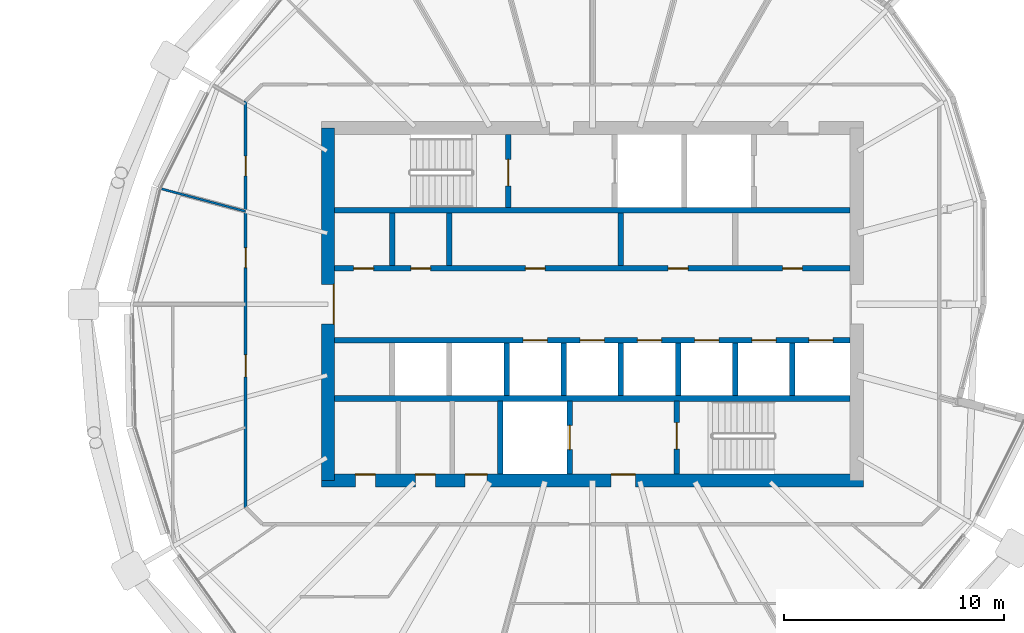
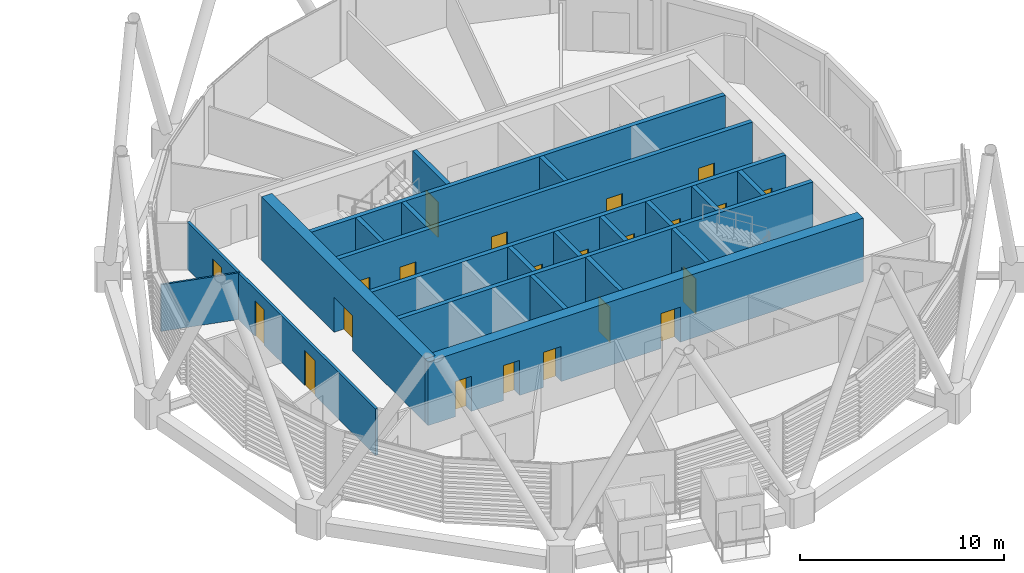
# One storey, part 25 of 37: 22 doors, 21 walls, 22 openings.
"""IFC4 building model written with IfcOpenShell, lengths in metres."""

from ifc_helpers import new_model, si_unit, direction, frame, frame_2d, origin, place, context, subcontext, project, spatial, rectangle, extrude, material, layer, layer_set, type_object, element, fill, save


model = new_model("IFC4")

# Units and contexts
model_context = context("Model", 3, precision=1e-05, world=origin(), true_north=direction((0.0, 1.0)))
body_context = subcontext(model_context, "Body", "Model", "MODEL_VIEW")
ifc_project = project(units=[si_unit("LENGTHUNIT", "METRE"), si_unit("AREAUNIT", "SQUARE_METRE"), si_unit("VOLUMEUNIT", "CUBIC_METRE"), si_unit("PLANEANGLEUNIT", "RADIAN"), si_unit("MASSUNIT", "GRAM", prefix="KILO")], contexts=[model_context])

# Site, building, storey
site_placement = place(None, origin())
site = spatial("IfcSite", under=ifc_project, at=site_placement, CompositionType="ELEMENT")
building_placement = place(site_placement, origin())
building = spatial("IfcBuilding", under=site, at=building_placement, Name="Rimbun Link Towers", CompositionType="ELEMENT")
storey_placement = place(building_placement, frame((0.0, 0.0, 170.300048828125)))
storey = spatial("IfcBuildingStorey", under=building, at=storey_placement, Name="L41", CompositionType="ELEMENT", Elevation=170.300048828125)

# Wall, openings, doors
ifc_material_1 = material(Name="Concrete C60/75", Category="concrete")
ifc_layer_1 = layer(ifc_material_1, 0.60009765625)
ifc_layer_set_1 = layer_set([ifc_layer_1], Name="Core shear wall 600")
wall_type_1 = type_object("IfcWallType", Name="Core shear wall 600", PredefinedType="SHEAR", material=ifc_layer_set_1)
wall_1_placement = place(storey_placement, frame((19.449951171875, -8.0, 0.0), z_axis=(0.0, 0.0, 1.0), x_axis=(1.0, 0.0, 0.0)))
wall_1 = element("IfcWall", 1, at=wall_1_placement, inside=storey, type_object=wall_type_1, Name="L41 T2 core wall S", PredefinedType="SHEAR", context=body_context, shape_type="SweptSolid", body=[
    extrude(rectangle(XDim=24.60009765625, YDim=0.60009765625, at=frame_2d((12.300048828125, 0.0))), origin(), (0.0, 0.0, 1.0), 3.800048828125),
])
opening_1_placement = place(wall_1_placement, frame((13.14990234375, 0.0, 0.0)))
opening_1 = element("IfcOpeningElement", 2, at=opening_1_placement, cuts=wall_1, Name="Opening C2DCF01S", PredefinedType="OPENING", context=body_context, shape_type="SweptSolid", body=[
    extrude(rectangle(XDim=1.10009765625, YDim=2.10009765625, at=frame_2d((0.550048828125, 1.050048828125))), frame((0.0, 0.31005859375, 0.0), z_axis=(0.0, -1.0, 0.0), x_axis=(1.0, 0.0, 0.0)), (0.0, 0.0, 1.0), 0.6201171875),
])
opening_2_placement = place(wall_1_placement, frame((1.550048828125, 0.0, 0.0)))
opening_2 = element("IfcOpeningElement", 3, at=opening_2_placement, cuts=wall_1, Name="Opening C2DWC02S", PredefinedType="OPENING", context=body_context, shape_type="SweptSolid", body=[
    extrude(rectangle(XDim=0.89990234375, YDim=2.10009765625, at=frame_2d((0.449951171875, 1.050048828125))), frame((0.0, 0.31005859375, 0.0), z_axis=(0.0, -1.0, 0.0), x_axis=(1.0, 0.0, 0.0)), (0.0, 0.0, 1.0), 0.6201171875),
])
opening_3_placement = place(wall_1_placement, frame((4.27490234375, 0.0, 0.0)))
opening_3 = element("IfcOpeningElement", 4, at=opening_3_placement, cuts=wall_1, Name="Opening C2DWC03S", PredefinedType="OPENING", context=body_context, shape_type="SweptSolid", body=[
    extrude(rectangle(XDim=0.89990234375, YDim=2.10009765625, at=frame_2d((0.449951171875, 1.050048828125))), frame((0.0, 0.31005859375, 0.0), z_axis=(0.0, -1.0, 0.0), x_axis=(1.0, 0.0, 0.0)), (0.0, 0.0, 1.0), 0.6201171875),
])
opening_4_placement = place(wall_1_placement, frame((6.52490234375, 0.0, 0.0)))
opening_4 = element("IfcOpeningElement", 5, at=opening_4_placement, cuts=wall_1, Name="Opening C2DAW04S", PredefinedType="OPENING", context=body_context, shape_type="SweptSolid", body=[
    extrude(rectangle(XDim=1.0, YDim=2.10009765625, at=frame_2d((0.5, 1.050048828125))), frame((0.0, 0.31005859375, 0.0), z_axis=(0.0, -1.0, 0.0), x_axis=(1.0, 0.0, 0.0)), (0.0, 0.0, 1.0), 0.6201171875),
])
ifc_material_2 = material(Name="Timber", Category="wood")
door_type_1 = type_object("IfcDoorType", Name="Accessible WC door", OperationType="SINGLE_SWING_LEFT", PredefinedType="DOOR", material=ifc_material_2)
door_1_placement = place(opening_4_placement, origin())
door_1 = element("IfcDoor", 6, at=door_1_placement, inside=storey, type_object=door_type_1, Name="L41 T2 accessible wc door", OperationType="SINGLE_SWING_LEFT", OverallHeight=2.10009765625, OverallWidth=1.0, PredefinedType="DOOR", context=body_context, shape_type="SweptSolid", body=[
    extrude(rectangle(XDim=1.0, YDim=2.10009765625, at=frame_2d((0.5, 1.050048828125))), frame((0.0, 0.2998046875, 0.0), z_axis=(0.0, -1.0, 0.0), x_axis=(1.0, 0.0, 0.0)), (0.0, 0.0, 1.0), 0.050048828125),
])
fill(opening_4, door_1)
ifc_material_3 = material(Name="Steel fire door set", Category="steel")
door_type_2 = type_object("IfcDoorType", Name="Core fire door single", OperationType="SINGLE_SWING_LEFT", PredefinedType="DOOR", material=ifc_material_3)
door_2_placement = place(opening_1_placement, origin())
door_2 = element("IfcDoor", 7, at=door_2_placement, inside=storey, type_object=door_type_2, Name="L41 T2 firefighting lobby s door", OperationType="SINGLE_SWING_RIGHT", OverallHeight=2.10009765625, OverallWidth=1.10009765625, PredefinedType="DOOR", context=body_context, shape_type="SweptSolid", body=[
    extrude(rectangle(XDim=1.10009765625, YDim=2.10009765625, at=frame_2d((0.550048828125, 1.050048828125))), frame((0.0, 0.2998046875, 0.0), z_axis=(0.0, -1.0, 0.0), x_axis=(1.0, 0.0, 0.0)), (0.0, 0.0, 1.0), 0.050048828125),
])
fill(opening_1, door_2)
ifc_material_4 = material(Name="Timber", Category="wood")
door_type_3 = type_object("IfcDoorType", Name="WC door", OperationType="SINGLE_SWING_LEFT", PredefinedType="DOOR", material=ifc_material_4)
door_3_placement = place(opening_2_placement, origin())
door_3 = element("IfcDoor", 8, at=door_3_placement, inside=storey, type_object=door_type_3, Name="L41 T2 male wc door", OperationType="SINGLE_SWING_RIGHT", OverallHeight=2.10009765625, OverallWidth=0.89990234375, PredefinedType="DOOR", context=body_context, shape_type="SweptSolid", body=[
    extrude(rectangle(XDim=0.89990234375, YDim=2.10009765625, at=frame_2d((0.449951171875, 1.050048828125))), frame((0.0, 0.2998046875, 0.0), z_axis=(0.0, -1.0, 0.0), x_axis=(1.0, 0.0, 0.0)), (0.0, 0.0, 1.0), 0.050048828125),
])
fill(opening_2, door_3)
door_4_placement = place(opening_3_placement, origin())
door_4 = element("IfcDoor", 9, at=door_4_placement, inside=storey, type_object=door_type_3, Name="L41 T2 female wc door", OperationType="SINGLE_SWING_RIGHT", OverallHeight=2.10009765625, OverallWidth=0.89990234375, PredefinedType="DOOR", context=body_context, shape_type="SweptSolid", body=[
    extrude(rectangle(XDim=0.89990234375, YDim=2.10009765625, at=frame_2d((0.449951171875, 1.050048828125))), frame((0.0, 0.2998046875, 0.0), z_axis=(0.0, -1.0, 0.0), x_axis=(1.0, 0.0, 0.0)), (0.0, 0.0, 1.0), 0.050048828125),
])
fill(opening_3, door_4)

# Wall, opening, door
wall_2_placement = place(storey_placement, frame((19.75, -8.0, 0.0), z_axis=(0.0, 0.0, 1.0), x_axis=(0.0, 1.0, 0.0)))
wall_2 = element("IfcWall", 10, at=wall_2_placement, inside=storey, type_object=wall_type_1, Name="L41 T2 core wall W", PredefinedType="SHEAR", context=body_context, shape_type="SweptSolid", body=[
    extrude(rectangle(XDim=16.0, YDim=0.60009765625, at=frame_2d((8.0, 0.0))), origin(), (0.0, 0.0, 1.0), 3.800048828125),
])
opening_5_placement = place(wall_2_placement, frame((7.10009765625, 0.0, 0.0)))
opening_5 = element("IfcOpeningElement", 11, at=opening_5_placement, cuts=wall_2, Name="Opening C2DCL01W", PredefinedType="OPENING", context=body_context, shape_type="SweptSolid", body=[
    extrude(rectangle(XDim=1.800048828125, YDim=2.10009765625, at=frame_2d((0.89990234375, 1.050048828125))), frame((0.0, 0.31005859375, 0.0), z_axis=(0.0, -1.0, 0.0), x_axis=(1.0, 0.0, 0.0)), (0.0, 0.0, 1.0), 0.6201171875),
])
ifc_material_5 = material(Name="Steel fire door set", Category="steel")
door_type_4 = type_object("IfcDoorType", Name="Core lobby door double", OperationType="DOUBLE_DOOR_SINGLE_SWING", PredefinedType="DOOR", material=ifc_material_5)
door_5_placement = place(opening_5_placement, origin())
door_5 = element("IfcDoor", 12, at=door_5_placement, inside=storey, type_object=door_type_4, Name="L41 T2 lift lobby door", OperationType="DOUBLE_DOOR_SINGLE_SWING", OverallHeight=2.10009765625, OverallWidth=1.800048828125, PredefinedType="DOOR", context=body_context, shape_type="SweptSolid", body=[
    extrude(rectangle(XDim=1.800048828125, YDim=2.10009765625, at=frame_2d((0.89990234375, 1.050048828125))), frame((0.0, -0.25, 0.0), z_axis=(0.0, -1.0, 0.0), x_axis=(1.0, 0.0, 0.0)), (0.0, 0.0, 1.0), 0.050048828125),
])
fill(opening_5, door_5)

# Wall, openings, doors
ifc_material_6 = material(Name="Plasterboard on steel stud, mineral wool", Category="steel")
ifc_layer_2 = layer(ifc_material_6, 0.14990234375)
ifc_layer_set_2 = layer_set([ifc_layer_2], Name="Corridor wall EI 30 150 mm")
wall_type_2 = type_object("IfcWallType", Name="Corridor wall EI 30 150 mm", PredefinedType="PARTITIONING", material=ifc_layer_set_2)
wall_3_placement = place(storey_placement, frame((16.014892578125, -9.213623046875, 0.0), z_axis=(0.0, 0.0, 1.0), x_axis=(0.0, 1.0, 0.0)))
wall_3 = element("IfcWall", 13, at=wall_3_placement, inside=storey, type_object=wall_type_2, Name="Corridor wall EI 30 150 mm", PredefinedType="PARTITIONING", context=body_context, shape_type="SweptSolid", body=[
    extrude(rectangle(XDim=18.42724609375, YDim=0.14990234375, at=frame_2d((9.213623046875, 0.0))), origin(), (0.0, 0.0, 1.0), 2.7890625),
])
opening_6_placement = place(wall_3_placement, frame((15.036865234375, 0.0, 0.0)))
opening_6 = element("IfcOpeningElement", 14, at=opening_6_placement, cuts=wall_3, Name="Opening D02", PredefinedType="OPENING", context=body_context, shape_type="SweptSolid", body=[
    extrude(rectangle(XDim=0.89990234375, YDim=2.10009765625, at=frame_2d((0.449951171875, 1.050048828125))), frame((0.0, 0.0849609375, 0.0), z_axis=(0.0, -1.0, 0.0), x_axis=(1.0, 0.0, 0.0)), (0.0, 0.0, 1.0), 0.169921875),
])
opening_7_placement = place(wall_3_placement, frame((10.871826171875, 0.0, 0.0)))
opening_7 = element("IfcOpeningElement", 15, at=opening_7_placement, cuts=wall_3, Name="Opening D02", PredefinedType="OPENING", context=body_context, shape_type="SweptSolid", body=[
    extrude(rectangle(XDim=0.89990234375, YDim=2.10009765625, at=frame_2d((0.449951171875, 1.050048828125))), frame((0.0, 0.0849609375, 0.0), z_axis=(0.0, -1.0, 0.0), x_axis=(1.0, 0.0, 0.0)), (0.0, 0.0, 1.0), 0.169921875),
])
opening_8_placement = place(wall_3_placement, frame((5.922607421875, 0.0, 0.0)))
opening_8 = element("IfcOpeningElement", 16, at=opening_8_placement, cuts=wall_3, Name="Opening D01", PredefinedType="OPENING", context=body_context, shape_type="SweptSolid", body=[
    extrude(rectangle(XDim=1.0, YDim=2.10009765625, at=frame_2d((0.5, 1.050048828125))), frame((0.0, 0.0849609375, 0.0), z_axis=(0.0, -1.0, 0.0), x_axis=(1.0, 0.0, 0.0)), (0.0, 0.0, 1.0), 0.169921875),
])
ifc_material_7 = material(Name="Fire-resisting timber door leaf", Category="wood")
door_type_5 = type_object("IfcDoorType", Name="Fire door FD30S 1000", OperationType="NOTDEFINED", PredefinedType="DOOR", material=ifc_material_7)
door_6_placement = place(opening_8_placement, origin())
door_6 = element("IfcDoor", 17, at=door_6_placement, inside=storey, type_object=door_type_5, Name="Fire door FD30S 1000 to Tenant lobby", OperationType="SINGLE_SWING_LEFT", OverallHeight=2.10009765625, OverallWidth=1.0, PredefinedType="DOOR", context=body_context, shape_type="SweptSolid", body=[
    extrude(rectangle(XDim=1.0, YDim=2.10009765625, at=frame_2d((0.5, 1.050048828125))), frame((0.0, 0.02490234375, 0.0), z_axis=(0.0, -1.0, 0.0), x_axis=(1.0, 0.0, 0.0)), (0.0, 0.0, 1.0), 0.050048828125),
])
fill(opening_8, door_6)
ifc_material_8 = material(Name="Fire-resisting timber door leaf", Category="wood")
door_type_6 = type_object("IfcDoorType", Name="Fire door FD30S 900", OperationType="NOTDEFINED", PredefinedType="DOOR", material=ifc_material_8)
door_7_placement = place(opening_6_placement, origin())
door_7 = element("IfcDoor", 18, at=door_7_placement, inside=storey, type_object=door_type_6, Name="Fire door FD30S 900 to Communications room", OperationType="SINGLE_SWING_LEFT", OverallHeight=2.10009765625, OverallWidth=0.89990234375, PredefinedType="DOOR", context=body_context, shape_type="SweptSolid", body=[
    extrude(rectangle(XDim=0.89990234375, YDim=2.10009765625, at=frame_2d((0.449951171875, 1.050048828125))), frame((0.0, 0.02490234375, 0.0), z_axis=(0.0, -1.0, 0.0), x_axis=(1.0, 0.0, 0.0)), (0.0, 0.0, 1.0), 0.050048828125),
])
fill(opening_6, door_7)
door_8_placement = place(opening_7_placement, origin())
door_8 = element("IfcDoor", 19, at=door_8_placement, inside=storey, type_object=door_type_6, Name="Fire door FD30S 900 to Trading floor", OperationType="SINGLE_SWING_RIGHT", OverallHeight=2.10009765625, OverallWidth=0.89990234375, PredefinedType="DOOR", context=body_context, shape_type="SweptSolid", body=[
    extrude(rectangle(XDim=0.89990234375, YDim=2.10009765625, at=frame_2d((0.449951171875, 1.050048828125))), frame((0.0, 0.02490234375, 0.0), z_axis=(0.0, -1.0, 0.0), x_axis=(1.0, 0.0, 0.0)), (0.0, 0.0, 1.0), 0.050048828125),
])
fill(opening_7, door_8)

# Walls
ifc_material_9 = material(Name="Plasterboard on steel stud", Category="steel")
ifc_layer_3 = layer(ifc_material_9, 0.10009765625)
ifc_layer_set_3 = layer_set([ifc_layer_3], Name="Plasterboard partition 100 mm")
wall_type_3 = type_object("IfcWallType", Name="Plasterboard partition 100 mm", PredefinedType="PARTITIONING", material=ifc_layer_set_3)
wall_4_placement = place(storey_placement, frame((12.17138671875, 5.24609375, 0.0), z_axis=(0.0, 0.0, 1.0), x_axis=(0.965915458572, -0.258857734848, 0.0)))
element("IfcWall", 20, at=wall_4_placement, inside=storey, type_object=wall_type_3, Name="Plasterboard partition 100 mm", PredefinedType="PARTITIONING", context=body_context, shape_type="SweptSolid", body=[
    extrude(rectangle(XDim=3.979248046875, YDim=0.10009765625, at=frame_2d((1.98974609375, 0.0))), origin(), (0.0, 0.0, 1.0), 2.7890625),
])
ifc_material_10 = material(Name="Concrete C60/75", Category="concrete")
ifc_layer_4 = layer(ifc_material_10, 0.25)
ifc_layer_set_4 = layer_set([ifc_layer_4], Name="Shaft wall 250")
wall_type_4 = type_object("IfcWallType", Name="Shaft wall 250", PredefinedType="SHEAR", material=ifc_layer_set_4)
for number, where, z_axis, x_axis, name in (
    (21, (20.050048828125, 4.27490234375, 0.0), (0.0, 0.0, 1.0), (1.0, 0.0, 0.0), "L41 T2 core wall BN"),
    (22, (20.050048828125, -4.27490234375, 0.0), (0.0, 0.0, 1.0), (1.0, 0.0, 0.0), "L41 T2 core wall BS"),
):
    element("IfcWall", number, at=place(storey_placement, frame(where, z_axis=z_axis, x_axis=x_axis)), inside=storey, type_object=wall_type_4, Name=name, PredefinedType="SHEAR", context=body_context, shape_type="SweptSolid", body=[
        extrude(rectangle(XDim=23.39990234375, YDim=0.25, at=frame_2d((11.699951171875, 0.0))), origin(), (0.0, 0.0, 1.0), 3.800048828125),
    ])

# Wall, openings, doors
wall_5_placement = place(storey_placement, frame((20.050048828125, 1.625, 0.0), z_axis=(0.0, 0.0, 1.0), x_axis=(1.0, 0.0, 0.0)))
wall_5 = element("IfcWall", 23, at=wall_5_placement, inside=storey, type_object=wall_type_4, Name="L41 T2 core wall FN", PredefinedType="SHEAR", context=body_context, shape_type="SweptSolid", body=[
    extrude(rectangle(XDim=23.39990234375, YDim=0.25, at=frame_2d((11.699951171875, 0.0))), origin(), (0.0, 0.0, 1.0), 3.800048828125),
])
opening_9_placement = place(wall_5_placement, frame((0.872314453125, 0.0, 0.0)))
opening_9 = element("IfcOpeningElement", 24, at=opening_9_placement, cuts=wall_5, Name="Opening C2DRS01FN", PredefinedType="OPENING", context=body_context, shape_type="SweptSolid", body=[
    extrude(rectangle(XDim=0.89990234375, YDim=2.10009765625, at=frame_2d((0.449951171875, 1.050048828125))), frame((0.0, 0.135009765625, 0.0), z_axis=(0.0, -1.0, 0.0), x_axis=(1.0, 0.0, 0.0)), (0.0, 0.0, 1.0), 0.27001953125),
])
opening_10_placement = place(wall_5_placement, frame((3.466796875, 0.0, 0.0)))
opening_10 = element("IfcOpeningElement", 25, at=opening_10_placement, cuts=wall_5, Name="Opening C2DRS02FN", PredefinedType="OPENING", context=body_context, shape_type="SweptSolid", body=[
    extrude(rectangle(XDim=0.89990234375, YDim=2.10009765625, at=frame_2d((0.449951171875, 1.050048828125))), frame((0.0, 0.135009765625, 0.0), z_axis=(0.0, -1.0, 0.0), x_axis=(1.0, 0.0, 0.0)), (0.0, 0.0, 1.0), 0.27001953125),
])
opening_11_placement = place(wall_5_placement, frame((8.655517578125, 0.0, 0.0)))
opening_11 = element("IfcOpeningElement", 26, at=opening_11_placement, cuts=wall_5, Name="Opening C2DRS03FN", PredefinedType="OPENING", context=body_context, shape_type="SweptSolid", body=[
    extrude(rectangle(XDim=0.89990234375, YDim=2.10009765625, at=frame_2d((0.449951171875, 1.050048828125))), frame((0.0, 0.135009765625, 0.0), z_axis=(0.0, -1.0, 0.0), x_axis=(1.0, 0.0, 0.0)), (0.0, 0.0, 1.0), 0.27001953125),
])
opening_12_placement = place(wall_5_placement, frame((15.1416015625, 0.0, 0.0)))
opening_12 = element("IfcOpeningElement", 27, at=opening_12_placement, cuts=wall_5, Name="Opening C2DRS04FN", PredefinedType="OPENING", context=body_context, shape_type="SweptSolid", body=[
    extrude(rectangle(XDim=0.89990234375, YDim=2.10009765625, at=frame_2d((0.449951171875, 1.050048828125))), frame((0.0, 0.135009765625, 0.0), z_axis=(0.0, -1.0, 0.0), x_axis=(1.0, 0.0, 0.0)), (0.0, 0.0, 1.0), 0.27001953125),
])
opening_13_placement = place(wall_5_placement, frame((20.33056640625, 0.0, 0.0)))
opening_13 = element("IfcOpeningElement", 28, at=opening_13_placement, cuts=wall_5, Name="Opening C2DRS05FN", PredefinedType="OPENING", context=body_context, shape_type="SweptSolid", body=[
    extrude(rectangle(XDim=0.89990234375, YDim=2.10009765625, at=frame_2d((0.449951171875, 1.050048828125))), frame((0.0, 0.135009765625, 0.0), z_axis=(0.0, -1.0, 0.0), x_axis=(1.0, 0.0, 0.0)), (0.0, 0.0, 1.0), 0.27001953125),
])
ifc_material_11 = material(Name="Steel fire door set", Category="steel")
door_type_7 = type_object("IfcDoorType", Name="Core riser door", OperationType="SINGLE_SWING_LEFT", PredefinedType="DOOR", material=ifc_material_11)
door_9_placement = place(opening_9_placement, origin())
door_9 = element("IfcDoor", 29, at=door_9_placement, inside=storey, type_object=door_type_7, Name="L41 T2 pantry door", OperationType="SINGLE_SWING_LEFT", OverallHeight=2.10009765625, OverallWidth=0.89990234375, PredefinedType="DOOR", context=body_context, shape_type="SweptSolid", body=[
    extrude(rectangle(XDim=0.89990234375, YDim=2.10009765625, at=frame_2d((0.449951171875, 1.050048828125))), frame((0.0, 0.02490234375, 0.0), z_axis=(0.0, -1.0, 0.0), x_axis=(1.0, 0.0, 0.0)), (0.0, 0.0, 1.0), 0.050048828125),
])
fill(opening_9, door_9)
door_10_placement = place(opening_10_placement, origin())
door_10 = element("IfcDoor", 30, at=door_10_placement, inside=storey, type_object=door_type_7, Name="L41 T2 stationery store door", OperationType="SINGLE_SWING_LEFT", OverallHeight=2.10009765625, OverallWidth=0.89990234375, PredefinedType="DOOR", context=body_context, shape_type="SweptSolid", body=[
    extrude(rectangle(XDim=0.89990234375, YDim=2.10009765625, at=frame_2d((0.449951171875, 1.050048828125))), frame((0.0, 0.02490234375, 0.0), z_axis=(0.0, -1.0, 0.0), x_axis=(1.0, 0.0, 0.0)), (0.0, 0.0, 1.0), 0.050048828125),
])
fill(opening_10, door_10)
door_11_placement = place(opening_11_placement, origin())
door_11 = element("IfcDoor", 31, at=door_11_placement, inside=storey, type_object=door_type_7, Name="L41 T2 training store door", OperationType="SINGLE_SWING_RIGHT", OverallHeight=2.10009765625, OverallWidth=0.89990234375, PredefinedType="DOOR", context=body_context, shape_type="SweptSolid", body=[
    extrude(rectangle(XDim=0.89990234375, YDim=2.10009765625, at=frame_2d((0.449951171875, 1.050048828125))), frame((0.0, 0.02490234375, 0.0), z_axis=(0.0, -1.0, 0.0), x_axis=(1.0, 0.0, 0.0)), (0.0, 0.0, 1.0), 0.050048828125),
])
fill(opening_11, door_11)
door_12_placement = place(opening_12_placement, origin())
door_12 = element("IfcDoor", 32, at=door_12_placement, inside=storey, type_object=door_type_7, Name="L41 T2 print room door", OperationType="SINGLE_SWING_LEFT", OverallHeight=2.10009765625, OverallWidth=0.89990234375, PredefinedType="DOOR", context=body_context, shape_type="SweptSolid", body=[
    extrude(rectangle(XDim=0.89990234375, YDim=2.10009765625, at=frame_2d((0.449951171875, 1.050048828125))), frame((0.0, 0.02490234375, 0.0), z_axis=(0.0, -1.0, 0.0), x_axis=(1.0, 0.0, 0.0)), (0.0, 0.0, 1.0), 0.050048828125),
])
fill(opening_12, door_12)
door_13_placement = place(opening_13_placement, origin())
door_13 = element("IfcDoor", 33, at=door_13_placement, inside=storey, type_object=door_type_7, Name="L41 T2 staff lounge door", OperationType="SINGLE_SWING_LEFT", OverallHeight=2.10009765625, OverallWidth=0.89990234375, PredefinedType="DOOR", context=body_context, shape_type="SweptSolid", body=[
    extrude(rectangle(XDim=0.89990234375, YDim=2.10009765625, at=frame_2d((0.449951171875, 1.050048828125))), frame((0.0, 0.02490234375, 0.0), z_axis=(0.0, -1.0, 0.0), x_axis=(1.0, 0.0, 0.0)), (0.0, 0.0, 1.0), 0.050048828125),
])
fill(opening_13, door_13)

wall_6_placement = place(storey_placement, frame((20.050048828125, -1.625, 0.0), z_axis=(0.0, 0.0, 1.0), x_axis=(1.0, 0.0, 0.0)))
wall_6 = element("IfcWall", 34, at=wall_6_placement, inside=storey, type_object=wall_type_4, Name="L41 T2 core wall FS", PredefinedType="SHEAR", context=body_context, shape_type="SweptSolid", body=[
    extrude(rectangle(XDim=23.39990234375, YDim=0.25, at=frame_2d((11.699951171875, 0.0))), origin(), (0.0, 0.0, 1.0), 3.800048828125),
])
opening_14_placement = place(wall_6_placement, frame((8.5556640625, 0.0, 0.0)))
opening_14 = element("IfcOpeningElement", 35, at=opening_14_placement, cuts=wall_6, Name="Opening LD-T2-HR1", PredefinedType="OPENING", context=body_context, shape_type="SweptSolid", body=[
    extrude(rectangle(XDim=1.10009765625, YDim=2.10009765625, at=frame_2d((0.550048828125, 1.050048828125))), frame((0.0, 0.135009765625, 0.0), z_axis=(0.0, -1.0, 0.0), x_axis=(1.0, 0.0, 0.0)), (0.0, 0.0, 1.0), 0.27001953125),
])
opening_15_placement = place(wall_6_placement, frame((11.14990234375, 0.0, 0.0)))
opening_15 = element("IfcOpeningElement", 36, at=opening_15_placement, cuts=wall_6, Name="Opening LD-T2-HR2", PredefinedType="OPENING", context=body_context, shape_type="SweptSolid", body=[
    extrude(rectangle(XDim=1.10009765625, YDim=2.10009765625, at=frame_2d((0.550048828125, 1.050048828125))), frame((0.0, 0.135009765625, 0.0), z_axis=(0.0, -1.0, 0.0), x_axis=(1.0, 0.0, 0.0)), (0.0, 0.0, 1.0), 0.27001953125),
])
opening_16_placement = place(wall_6_placement, frame((13.744384765625, 0.0, 0.0)))
opening_16 = element("IfcOpeningElement", 37, at=opening_16_placement, cuts=wall_6, Name="Opening LD-T2-HR3", PredefinedType="OPENING", context=body_context, shape_type="SweptSolid", body=[
    extrude(rectangle(XDim=1.10009765625, YDim=2.10009765625, at=frame_2d((0.550048828125, 1.050048828125))), frame((0.0, 0.135009765625, 0.0), z_axis=(0.0, -1.0, 0.0), x_axis=(1.0, 0.0, 0.0)), (0.0, 0.0, 1.0), 0.27001953125),
])
opening_17_placement = place(wall_6_placement, frame((16.3388671875, 0.0, 0.0)))
opening_17 = element("IfcOpeningElement", 38, at=opening_17_placement, cuts=wall_6, Name="Opening LD-T2-HR4", PredefinedType="OPENING", context=body_context, shape_type="SweptSolid", body=[
    extrude(rectangle(XDim=1.10009765625, YDim=2.10009765625, at=frame_2d((0.550048828125, 1.050048828125))), frame((0.0, 0.135009765625, 0.0), z_axis=(0.0, -1.0, 0.0), x_axis=(1.0, 0.0, 0.0)), (0.0, 0.0, 1.0), 0.27001953125),
])
opening_18_placement = place(wall_6_placement, frame((18.933349609375, 0.0, 0.0)))
opening_18 = element("IfcOpeningElement", 39, at=opening_18_placement, cuts=wall_6, Name="Opening LD-T2-HR5", PredefinedType="OPENING", context=body_context, shape_type="SweptSolid", body=[
    extrude(rectangle(XDim=1.10009765625, YDim=2.10009765625, at=frame_2d((0.550048828125, 1.050048828125))), frame((0.0, 0.135009765625, 0.0), z_axis=(0.0, -1.0, 0.0), x_axis=(1.0, 0.0, 0.0)), (0.0, 0.0, 1.0), 0.27001953125),
])
opening_19_placement = place(wall_6_placement, frame((21.52783203125, 0.0, 0.0)))
opening_19 = element("IfcOpeningElement", 40, at=opening_19_placement, cuts=wall_6, Name="Opening LD-T2-HR6", PredefinedType="OPENING", context=body_context, shape_type="SweptSolid", body=[
    extrude(rectangle(XDim=1.10009765625, YDim=2.10009765625, at=frame_2d((0.550048828125, 1.050048828125))), frame((0.0, 0.135009765625, 0.0), z_axis=(0.0, -1.0, 0.0), x_axis=(1.0, 0.0, 0.0)), (0.0, 0.0, 1.0), 0.27001953125),
])
ifc_material_12 = material(Name="Stainless steel grade 316", Category="steel")
door_type_8 = type_object("IfcDoorType", Name="Lift landing door", OperationType="DOUBLE_DOOR_SLIDING", PredefinedType="DOOR", material=ifc_material_12)
door_14_placement = place(opening_14_placement, origin())
door_14 = element("IfcDoor", 41, at=door_14_placement, inside=storey, type_object=door_type_8, Name="L41 T2 lift HR1 landing door", OperationType="DOUBLE_DOOR_SLIDING", OverallHeight=2.10009765625, OverallWidth=1.10009765625, PredefinedType="DOOR", context=body_context, shape_type="SweptSolid", body=[
    extrude(rectangle(XDim=1.10009765625, YDim=2.10009765625, at=frame_2d((0.550048828125, 1.050048828125))), frame((0.0, 0.02490234375, 0.0), z_axis=(0.0, -1.0, 0.0), x_axis=(1.0, 0.0, 0.0)), (0.0, 0.0, 1.0), 0.050048828125),
])
fill(opening_14, door_14)
door_15_placement = place(opening_15_placement, origin())
door_15 = element("IfcDoor", 42, at=door_15_placement, inside=storey, type_object=door_type_8, Name="L41 T2 lift HR2 landing door", OperationType="DOUBLE_DOOR_SLIDING", OverallHeight=2.10009765625, OverallWidth=1.10009765625, PredefinedType="DOOR", context=body_context, shape_type="SweptSolid", body=[
    extrude(rectangle(XDim=1.10009765625, YDim=2.10009765625, at=frame_2d((0.550048828125, 1.050048828125))), frame((0.0, 0.02490234375, 0.0), z_axis=(0.0, -1.0, 0.0), x_axis=(1.0, 0.0, 0.0)), (0.0, 0.0, 1.0), 0.050048828125),
])
fill(opening_15, door_15)
door_16_placement = place(opening_16_placement, origin())
door_16 = element("IfcDoor", 43, at=door_16_placement, inside=storey, type_object=door_type_8, Name="L41 T2 lift HR3 landing door", OperationType="DOUBLE_DOOR_SLIDING", OverallHeight=2.10009765625, OverallWidth=1.10009765625, PredefinedType="DOOR", context=body_context, shape_type="SweptSolid", body=[
    extrude(rectangle(XDim=1.10009765625, YDim=2.10009765625, at=frame_2d((0.550048828125, 1.050048828125))), frame((0.0, 0.02490234375, 0.0), z_axis=(0.0, -1.0, 0.0), x_axis=(1.0, 0.0, 0.0)), (0.0, 0.0, 1.0), 0.050048828125),
])
fill(opening_16, door_16)
door_17_placement = place(opening_17_placement, origin())
door_17 = element("IfcDoor", 44, at=door_17_placement, inside=storey, type_object=door_type_8, Name="L41 T2 lift HR4 landing door", OperationType="DOUBLE_DOOR_SLIDING", OverallHeight=2.10009765625, OverallWidth=1.10009765625, PredefinedType="DOOR", context=body_context, shape_type="SweptSolid", body=[
    extrude(rectangle(XDim=1.10009765625, YDim=2.10009765625, at=frame_2d((0.550048828125, 1.050048828125))), frame((0.0, 0.02490234375, 0.0), z_axis=(0.0, -1.0, 0.0), x_axis=(1.0, 0.0, 0.0)), (0.0, 0.0, 1.0), 0.050048828125),
])
fill(opening_17, door_17)
door_18_placement = place(opening_18_placement, origin())
door_18 = element("IfcDoor", 45, at=door_18_placement, inside=storey, type_object=door_type_8, Name="L41 T2 lift HR5 landing door", OperationType="DOUBLE_DOOR_SLIDING", OverallHeight=2.10009765625, OverallWidth=1.10009765625, PredefinedType="DOOR", context=body_context, shape_type="SweptSolid", body=[
    extrude(rectangle(XDim=1.10009765625, YDim=2.10009765625, at=frame_2d((0.550048828125, 1.050048828125))), frame((0.0, 0.02490234375, 0.0), z_axis=(0.0, -1.0, 0.0), x_axis=(1.0, 0.0, 0.0)), (0.0, 0.0, 1.0), 0.050048828125),
])
fill(opening_18, door_18)
door_19_placement = place(opening_19_placement, origin())
door_19 = element("IfcDoor", 46, at=door_19_placement, inside=storey, type_object=door_type_8, Name="L41 T2 lift HR6 landing door", OperationType="DOUBLE_DOOR_SLIDING", OverallHeight=2.10009765625, OverallWidth=1.10009765625, PredefinedType="DOOR", context=body_context, shape_type="SweptSolid", body=[
    extrude(rectangle(XDim=1.10009765625, YDim=2.10009765625, at=frame_2d((0.550048828125, 1.050048828125))), frame((0.0, 0.02490234375, 0.0), z_axis=(0.0, -1.0, 0.0), x_axis=(1.0, 0.0, 0.0)), (0.0, 0.0, 1.0), 0.050048828125),
])
fill(opening_19, door_19)

# Walls
for number, where, z_axis, x_axis, name in (
    (47, (22.66943359375, 1.75, 0.0), (0.0, 0.0, 1.0), (0.0, 1.0, 0.0), "L41 T2 core wall DN0"),
    (48, (25.263916015625, 1.75, 0.0), (0.0, 0.0, 1.0), (0.0, 1.0, 0.0), "L41 T2 core wall DN1"),
    (49, (33.047119140625, 1.75, 0.0), (0.0, 0.0, 1.0), (0.0, 1.0, 0.0), "L41 T2 core wall DN4"),
    (50, (27.8583984375, -4.14990234375, 0.0), (0.0, 0.0, 1.0), (0.0, 1.0, 0.0), "L41 T2 core wall DS2"),
    (51, (30.452880859375, -4.14990234375, 0.0), (0.0, 0.0, 1.0), (0.0, 1.0, 0.0), "L41 T2 core wall DS3"),
    (52, (33.047119140625, -4.14990234375, 0.0), (0.0, 0.0, 1.0), (0.0, 1.0, 0.0), "L41 T2 core wall DS4"),
    (53, (35.6416015625, -4.14990234375, 0.0), (0.0, 0.0, 1.0), (0.0, 1.0, 0.0), "L41 T2 core wall DS5"),
    (54, (38.236083984375, -4.14990234375, 0.0), (0.0, 0.0, 1.0), (0.0, 1.0, 0.0), "L41 T2 core wall DS6"),
    (55, (40.83056640625, -4.14990234375, 0.0), (0.0, 0.0, 1.0), (0.0, 1.0, 0.0), "L41 T2 core wall DS7"),
):
    element("IfcWall", number, at=place(storey_placement, frame(where, z_axis=z_axis, x_axis=x_axis)), inside=storey, type_object=wall_type_4, Name=name, PredefinedType="SHEAR", context=body_context, shape_type="SweptSolid", body=[
        extrude(rectangle(XDim=2.39990234375, YDim=0.25, at=frame_2d((1.199951171875, 0.0))), origin(), (0.0, 0.0, 1.0), 3.800048828125),
    ])

# Wall, opening, door
wall_7_placement = place(storey_placement, frame((27.925048828125, 4.39990234375, 0.0), z_axis=(0.0, 0.0, 1.0), x_axis=(0.0, 1.0, 0.0)))
wall_7 = element("IfcWall", 56, at=wall_7_placement, inside=storey, type_object=wall_type_4, Name="L41 T2 core wall A1", PredefinedType="SHEAR", context=body_context, shape_type="SweptSolid", body=[
    extrude(rectangle(XDim=3.300048828125, YDim=0.25, at=frame_2d((1.64990234375, 0.0))), origin(), (0.0, 0.0, 1.0), 3.800048828125),
])
opening_20_placement = place(wall_7_placement, frame((0.97509765625, 0.0, 0.0)))
opening_20 = element("IfcOpeningElement", 57, at=opening_20_placement, cuts=wall_7, Name="Opening C2DST01A1", PredefinedType="OPENING", context=body_context, shape_type="SweptSolid", body=[
    extrude(rectangle(XDim=1.199951171875, YDim=2.10009765625, at=frame_2d((0.60009765625, 1.050048828125))), frame((0.0, 0.135009765625, 0.0), z_axis=(0.0, -1.0, 0.0), x_axis=(1.0, 0.0, 0.0)), (0.0, 0.0, 1.0), 0.27001953125),
])
ifc_material_13 = material(Name="Steel fire door set", Category="steel")
door_type_9 = type_object("IfcDoorType", Name="Stair door", OperationType="SINGLE_SWING_LEFT", PredefinedType="DOOR", material=ifc_material_13)
door_20_placement = place(opening_20_placement, origin())
door_20 = element("IfcDoor", 58, at=door_20_placement, inside=storey, type_object=door_type_9, Name="L41 T2 stair a door", OperationType="SINGLE_SWING_RIGHT", OverallHeight=2.10009765625, OverallWidth=1.199951171875, PredefinedType="DOOR", context=body_context, shape_type="SweptSolid", body=[
    extrude(rectangle(XDim=1.199951171875, YDim=2.10009765625, at=frame_2d((0.60009765625, 1.050048828125))), frame((0.0, 0.02490234375, 0.0), z_axis=(0.0, -1.0, 0.0), x_axis=(1.0, 0.0, 0.0)), (0.0, 0.0, 1.0), 0.050048828125),
])
fill(opening_20, door_20)

wall_8_placement = place(storey_placement, frame((35.574951171875, -4.39990234375, 0.0), z_axis=(0.0, 0.0, 1.0), x_axis=(0.0, -1.0, 0.0)))
wall_8 = element("IfcWall", 59, at=wall_8_placement, inside=storey, type_object=wall_type_4, Name="L41 T2 core wall B1", PredefinedType="SHEAR", context=body_context, shape_type="SweptSolid", body=[
    extrude(rectangle(XDim=3.300048828125, YDim=0.25, at=frame_2d((1.64990234375, 0.0))), origin(), (0.0, 0.0, 1.0), 3.800048828125),
])
opening_21_placement = place(wall_8_placement, frame((0.97509765625, 0.0, 0.0)))
opening_21 = element("IfcOpeningElement", 60, at=opening_21_placement, cuts=wall_8, Name="Opening C2DST01B1", PredefinedType="OPENING", context=body_context, shape_type="SweptSolid", body=[
    extrude(rectangle(XDim=1.199951171875, YDim=2.10009765625, at=frame_2d((0.60009765625, 1.050048828125))), frame((0.0, 0.135009765625, 0.0), z_axis=(0.0, -1.0, 0.0), x_axis=(1.0, 0.0, 0.0)), (0.0, 0.0, 1.0), 0.27001953125),
])
door_21_placement = place(opening_21_placement, origin())
door_21 = element("IfcDoor", 61, at=door_21_placement, inside=storey, type_object=door_type_9, Name="L41 T2 stair b door", OperationType="SINGLE_SWING_RIGHT", OverallHeight=2.10009765625, OverallWidth=1.199951171875, PredefinedType="DOOR", context=body_context, shape_type="SweptSolid", body=[
    extrude(rectangle(XDim=1.199951171875, YDim=2.10009765625, at=frame_2d((0.60009765625, 1.050048828125))), frame((0.0, 0.02490234375, 0.0), z_axis=(0.0, -1.0, 0.0), x_axis=(1.0, 0.0, 0.0)), (0.0, 0.0, 1.0), 0.050048828125),
])
fill(opening_21, door_21)

wall_9_placement = place(storey_placement, frame((30.72509765625, -4.39990234375, 0.0), z_axis=(0.0, 0.0, 1.0), x_axis=(0.0, -1.0, 0.0)))
wall_9 = element("IfcWall", 62, at=wall_9_placement, inside=storey, type_object=wall_type_4, Name="L41 T2 core wall B2", PredefinedType="SHEAR", context=body_context, shape_type="SweptSolid", body=[
    extrude(rectangle(XDim=3.300048828125, YDim=0.25, at=frame_2d((1.64990234375, 0.0))), origin(), (0.0, 0.0, 1.0), 3.800048828125),
])
opening_22_placement = place(wall_9_placement, frame((1.10009765625, 0.0, 0.0)))
opening_22 = element("IfcOpeningElement", 63, at=opening_22_placement, cuts=wall_9, Name="Opening LD-T2-FF2", PredefinedType="OPENING", context=body_context, shape_type="SweptSolid", body=[
    extrude(rectangle(XDim=1.10009765625, YDim=2.10009765625, at=frame_2d((0.550048828125, 1.050048828125))), frame((0.0, 0.135009765625, 0.0), z_axis=(0.0, -1.0, 0.0), x_axis=(1.0, 0.0, 0.0)), (0.0, 0.0, 1.0), 0.27001953125),
])
door_22_placement = place(opening_22_placement, origin())
door_22 = element("IfcDoor", 64, at=door_22_placement, inside=storey, type_object=door_type_8, Name="L41 T2 lift FF2 landing door", OperationType="DOUBLE_DOOR_SLIDING", OverallHeight=2.10009765625, OverallWidth=1.10009765625, PredefinedType="DOOR", context=body_context, shape_type="SweptSolid", body=[
    extrude(rectangle(XDim=1.10009765625, YDim=2.10009765625, at=frame_2d((0.550048828125, 1.050048828125))), frame((0.0, 0.02490234375, 0.0), z_axis=(0.0, -1.0, 0.0), x_axis=(1.0, 0.0, 0.0)), (0.0, 0.0, 1.0), 0.050048828125),
])
fill(opening_22, door_22)

# Wall
wall_10_placement = place(storey_placement, frame((27.574951171875, -4.39990234375, 0.0), z_axis=(0.0, 0.0, 1.0), x_axis=(0.0, -1.0, 0.0)))
element("IfcWall", 65, at=wall_10_placement, inside=storey, type_object=wall_type_4, Name="L41 T2 core wall B3", PredefinedType="SHEAR", context=body_context, shape_type="SweptSolid", body=[
    extrude(rectangle(XDim=3.300048828125, YDim=0.25, at=frame_2d((1.64990234375, 0.0))), origin(), (0.0, 0.0, 1.0), 3.800048828125),
])

save(model, "model.ifc")
